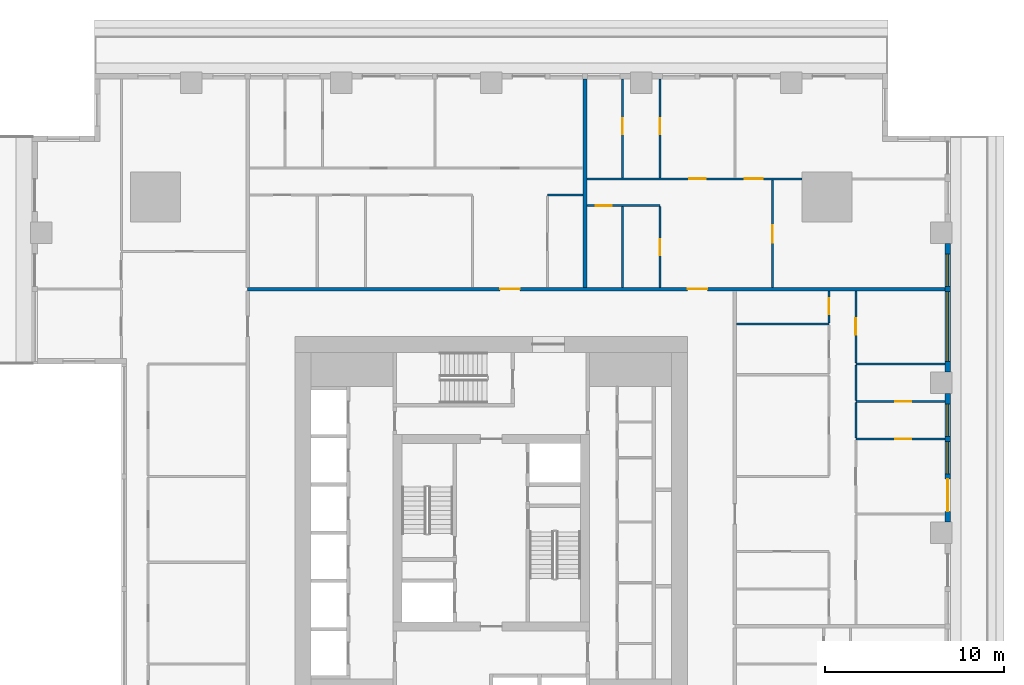
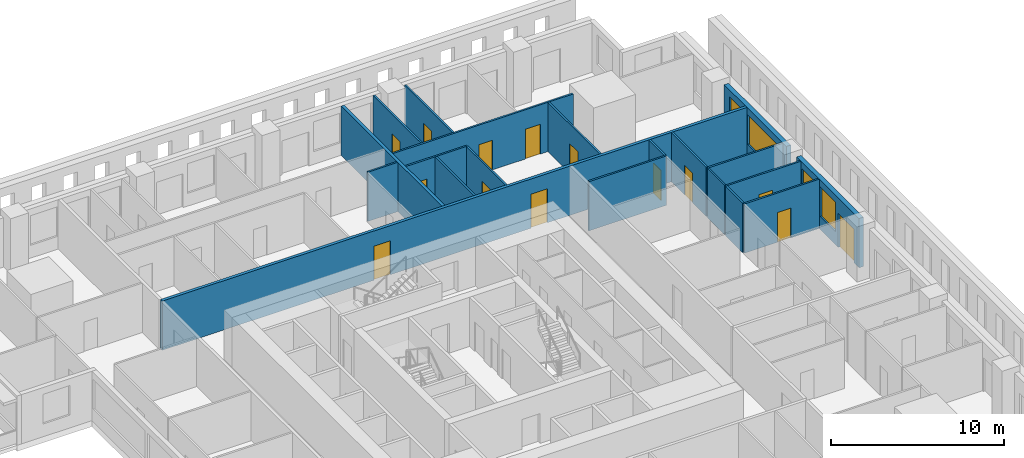
# One storey, part 8 of 14: 20 walls, 14 doors, 4 windows, 18 openings.
"""IFC4 building model written with IfcOpenShell, lengths in metres."""

from ifc_helpers import new_model, si_unit, direction, frame, frame_2d, origin, place, context, subcontext, project, spatial, rectangle, extrude, material, layer, layer_set, type_object, element, fill, save


model = new_model("IFC4")

# Units and contexts
model_context = context("Model", 3, precision=1e-05, world=origin(), true_north=direction((0.0, 1.0)))
body_context = subcontext(model_context, "Body", "Model", "MODEL_VIEW")
ifc_project = project(units=[si_unit("LENGTHUNIT", "METRE"), si_unit("AREAUNIT", "SQUARE_METRE"), si_unit("VOLUMEUNIT", "CUBIC_METRE"), si_unit("PLANEANGLEUNIT", "RADIAN"), si_unit("MASSUNIT", "GRAM", prefix="KILO")], contexts=[model_context])

# Site, building, storey
site_placement = place(None, origin())
site = spatial("IfcSite", under=ifc_project, at=site_placement, CompositionType="ELEMENT")
building_placement = place(site_placement, origin())
building = spatial("IfcBuilding", under=site, at=building_placement, Name="Khepri Terraces", CompositionType="ELEMENT")
storey_placement = place(building_placement, frame((0.0, 0.0, 106.5)))
storey = spatial("IfcBuildingStorey", under=building, at=storey_placement, Name="L25", CompositionType="ELEMENT", Elevation=106.5)

# Wall, openings, doors
ifc_material_1 = material(Name="Fire-rated gypsum plasterboard partition, mineral wool")
ifc_layer_1 = layer(ifc_material_1, 0.199951171875, Name="Fire-rated gypsum plasterboard partition, mineral wool")
ifc_layer_set_1 = layer_set([ifc_layer_1], Name="Fire-rated gypsum plasterboard partition, mineral wool")
wall_type_1 = type_object("IfcWallType", Name="WL-CORR-200", PredefinedType="PARTITIONING", material=ifc_layer_set_1)
wall_1_placement = place(storey_placement, frame((-13.64990234375, 13.64990234375, 0.0), z_axis=(0.0, 0.0, 1.0), x_axis=(1.0, 0.0, 0.0)))
wall_1 = element("IfcWall", 1, at=wall_1_placement, inside=storey, type_object=wall_type_1, Name="Partition P-068 L25", PredefinedType="PARTITIONING", context=body_context, shape_type="SweptSolid", body=[
    extrude(rectangle(XDim=39.06982421875, YDim=0.199951171875, at=frame_2d((19.534912109375, 0.0))), origin(), (0.0, 0.0, 1.0), 3.47998046875),
])
opening_1_placement = place(wall_1_placement, frame((24.64990234375, 0.0, 0.0)))
opening_1 = element("IfcOpeningElement", 2, at=opening_1_placement, cuts=wall_1, Name="Opening D1", PredefinedType="OPENING", context=body_context, shape_type="SweptSolid", body=[
    extrude(rectangle(XDim=1.10009765625, YDim=2.39990234375, at=frame_2d((0.550048828125, 1.199951171875))), frame((0.0, 0.10986328125, 0.0), z_axis=(0.0, -1.0, 0.0), x_axis=(1.0, 0.0, 0.0)), (0.0, 0.0, 1.0), 0.219970703125),
])
opening_2_placement = place(wall_1_placement, frame((14.14990234375, 0.0, 0.0)))
opening_2 = element("IfcOpeningElement", 3, at=opening_2_placement, cuts=wall_1, Name="Opening D1", PredefinedType="OPENING", context=body_context, shape_type="SweptSolid", body=[
    extrude(rectangle(XDim=1.10009765625, YDim=2.39990234375, at=frame_2d((0.550048828125, 1.199951171875))), frame((0.0, 0.10986328125, 0.0), z_axis=(0.0, -1.0, 0.0), x_axis=(1.0, 0.0, 0.0)), (0.0, 0.0, 1.0), 0.219970703125),
])
ifc_material_2 = material(Name="Solid-core timber door leaf, flat entrance door", Category="wood")
door_type_1 = type_object("IfcDoorType", Name="DR-ENT-1100", OperationType="NOTDEFINED", PredefinedType="DOOR", material=ifc_material_2)
door_1_placement = place(opening_1_placement, origin())
door_1 = element("IfcDoor", 4, at=door_1_placement, inside=storey, type_object=door_type_1, Name="Flat C1 entrance door", OperationType="SINGLE_SWING_RIGHT", OverallHeight=2.39990234375, OverallWidth=1.10009765625, PredefinedType="DOOR", context=body_context, shape_type="SweptSolid", body=[
    extrude(rectangle(XDim=1.10009765625, YDim=2.39990234375, at=frame_2d((0.550048828125, 1.199951171875))), frame((0.0, 0.02490234375, 0.0), z_axis=(0.0, -1.0, 0.0), x_axis=(1.0, 0.0, 0.0)), (0.0, 0.0, 1.0), 0.050048828125),
])
fill(opening_1, door_1)
door_2_placement = place(opening_2_placement, origin())
door_2 = element("IfcDoor", 5, at=door_2_placement, inside=storey, type_object=door_type_1, Name="Flat C2 entrance door", OperationType="SINGLE_SWING_LEFT", OverallHeight=2.39990234375, OverallWidth=1.10009765625, PredefinedType="DOOR", context=body_context, shape_type="SweptSolid", body=[
    extrude(rectangle(XDim=1.10009765625, YDim=2.39990234375, at=frame_2d((0.550048828125, 1.199951171875))), frame((0.0, 0.02490234375, 0.0), z_axis=(0.0, -1.0, 0.0), x_axis=(1.0, 0.0, 0.0)), (0.0, 0.0, 1.0), 0.050048828125),
])
fill(opening_2, door_2)

# Wall
wall_2_placement = place(storey_placement, frame((5.25, 13.75, 0.0), z_axis=(0.0, 0.0, 1.0), x_axis=(0.0, 1.0, 0.0)))
element("IfcWall", 6, at=wall_2_placement, inside=storey, type_object=wall_type_1, Name="Partition P-075 L25", PredefinedType="PARTITIONING", context=body_context, shape_type="SweptSolid", body=[
    extrude(rectangle(XDim=11.669921875, YDim=0.199951171875, at=frame_2d((5.8349609375, 0.0))), origin(), (0.0, 0.0, 1.0), 3.47998046875),
])

# Wall, openings, door, windows
ifc_material_3 = material(Name="Precast concrete C50/60 warm stone", Category="masonry")
ifc_layer_2 = layer(ifc_material_3, 0.300048828125, Name="Precast concrete C50/60 warm stone", Category="masonry")
ifc_layer_set_2 = layer_set([ifc_layer_2], Name="Precast concrete C50/60 warm stone")
wall_type_2 = type_object("IfcWallType", Name="WL-EXT-PRECAST-300", PredefinedType="STANDARD", material=ifc_layer_set_2)
wall_3_placement = place(storey_placement, frame((25.570068359375, 0.60009765625, 0.0), z_axis=(0.0, 0.0, 1.0), x_axis=(0.0, 1.0, 0.0)))
wall_3 = element("IfcWall", 7, at=wall_3_placement, inside=storey, type_object=wall_type_2, Name="External wall L25 E", PredefinedType="STANDARD", context=body_context, shape_type="SweptSolid", body=[
    extrude(rectangle(XDim=7.199951171875, YDim=0.300048828125, at=frame_2d((3.60009765625, 0.0))), origin(), (0.0, 0.0, 1.0), 3.47998046875),
])
opening_3_placement = place(wall_3_placement, frame((0.60009765625, 0.0, 0.0)))
opening_3 = element("IfcOpeningElement", 8, at=opening_3_placement, cuts=wall_3, Name="Opening ED-L25-05", PredefinedType="OPENING", context=body_context, shape_type="SweptSolid", body=[
    extrude(rectangle(XDim=1.800048828125, YDim=2.39990234375, at=frame_2d((0.89990234375, 1.199951171875))), frame((0.0, 0.16015625, 0.0), z_axis=(0.0, -1.0, 0.0), x_axis=(1.0, 0.0, 0.0)), (0.0, 0.0, 1.0), 0.320068359375),
])
opening_4_placement = place(wall_3_placement, frame((2.699951171875, 0.0, 0.89990234375)))
opening_4 = element("IfcOpeningElement", 9, at=opening_4_placement, cuts=wall_3, Name="Opening W1", PredefinedType="OPENING", context=body_context, shape_type="SweptSolid", body=[
    extrude(rectangle(XDim=1.800048828125, YDim=2.10009765625, at=frame_2d((0.89990234375, 1.050048828125))), frame((0.0, 0.16015625, 0.0), z_axis=(0.0, -1.0, 0.0), x_axis=(1.0, 0.0, 0.0)), (0.0, 0.0, 1.0), 0.320068359375),
])
opening_5_placement = place(wall_3_placement, frame((4.800048828125, 0.0, 0.89990234375)))
opening_5 = element("IfcOpeningElement", 10, at=opening_5_placement, cuts=wall_3, Name="Opening W1", PredefinedType="OPENING", context=body_context, shape_type="SweptSolid", body=[
    extrude(rectangle(XDim=1.800048828125, YDim=2.10009765625, at=frame_2d((0.89990234375, 1.050048828125))), frame((0.0, 0.16015625, 0.0), z_axis=(0.0, -1.0, 0.0), x_axis=(1.0, 0.0, 0.0)), (0.0, 0.0, 1.0), 0.320068359375),
])
ifc_material_4 = material(Name="Anodised aluminium bronze glazed door", Category="aluminium")
door_type_2 = type_object("IfcDoorType", Name="DR-BAL-SLIDE-1800x2400", OperationType="NOTDEFINED", PredefinedType="DOOR", material=ifc_material_4)
door_3_placement = place(opening_3_placement, origin())
door_3 = element("IfcDoor", 11, at=door_3_placement, inside=storey, type_object=door_type_2, Name="Balcony door L25 E", OperationType="SLIDING_TO_LEFT", OverallHeight=2.39990234375, OverallWidth=1.800048828125, PredefinedType="DOOR", context=body_context, shape_type="SweptSolid", body=[
    extrude(rectangle(XDim=1.800048828125, YDim=2.39990234375, at=frame_2d((0.89990234375, 1.199951171875))), frame((0.0, 0.02490234375, 0.0), z_axis=(0.0, -1.0, 0.0), x_axis=(1.0, 0.0, 0.0)), (0.0, 0.0, 1.0), 0.050048828125),
])
fill(opening_3, door_3)
ifc_material_5 = material(Name="Clear glass", Category="glass")
window_type_1 = type_object("IfcWindowType", Name="WIN-RES-1800x2100", PartitioningType="SINGLE_PANEL", PredefinedType="WINDOW", material=ifc_material_5)
window_1_placement = place(opening_4_placement, origin())
window_1 = element("IfcWindow", 12, at=window_1_placement, inside=storey, type_object=window_type_1, Name="Window L25 E", OverallHeight=2.10009765625, OverallWidth=1.800048828125, PartitioningType="SINGLE_PANEL", PredefinedType="WINDOW", context=body_context, shape_type="SweptSolid", body=[
    extrude(rectangle(XDim=1.800048828125, YDim=2.10009765625, at=frame_2d((0.89990234375, 1.050048828125))), frame((0.0, 0.030029296875, 0.0), z_axis=(0.0, -1.0, 0.0), x_axis=(1.0, 0.0, 0.0)), (0.0, 0.0, 1.0), 0.06005859375),
])
fill(opening_4, window_1)
window_2_placement = place(opening_5_placement, origin())
window_2 = element("IfcWindow", 13, at=window_2_placement, inside=storey, type_object=window_type_1, Name="Window L25 E", OverallHeight=2.10009765625, OverallWidth=1.800048828125, PartitioningType="SINGLE_PANEL", PredefinedType="WINDOW", context=body_context, shape_type="SweptSolid", body=[
    extrude(rectangle(XDim=1.800048828125, YDim=2.10009765625, at=frame_2d((0.89990234375, 1.050048828125))), frame((0.0, 0.030029296875, 0.0), z_axis=(0.0, -1.0, 0.0), x_axis=(1.0, 0.0, 0.0)), (0.0, 0.0, 1.0), 0.06005859375),
])
fill(opening_5, window_2)

# Wall, openings, windows
wall_4_placement = place(storey_placement, frame((25.570068359375, 9.0, 0.0), z_axis=(0.0, 0.0, 1.0), x_axis=(0.0, 1.0, 0.0)))
wall_4 = element("IfcWall", 14, at=wall_4_placement, inside=storey, type_object=wall_type_2, Name="External wall L25 E", PredefinedType="STANDARD", context=body_context, shape_type="SweptSolid", body=[
    extrude(rectangle(XDim=7.199951171875, YDim=0.300048828125, at=frame_2d((3.60009765625, 0.0))), origin(), (0.0, 0.0, 1.0), 3.47998046875),
])
opening_6_placement = place(wall_4_placement, frame((0.60009765625, 0.0, 0.89990234375)))
opening_6 = element("IfcOpeningElement", 15, at=opening_6_placement, cuts=wall_4, Name="Opening W2", PredefinedType="OPENING", context=body_context, shape_type="SweptSolid", body=[
    extrude(rectangle(XDim=3.89990234375, YDim=2.10009765625, at=frame_2d((1.949951171875, 1.050048828125))), frame((0.0, 0.16015625, 0.0), z_axis=(0.0, -1.0, 0.0), x_axis=(1.0, 0.0, 0.0)), (0.0, 0.0, 1.0), 0.320068359375),
])
opening_7_placement = place(wall_4_placement, frame((4.800048828125, 0.0, 0.89990234375)))
opening_7 = element("IfcOpeningElement", 16, at=opening_7_placement, cuts=wall_4, Name="Opening W1", PredefinedType="OPENING", context=body_context, shape_type="SweptSolid", body=[
    extrude(rectangle(XDim=1.800048828125, YDim=2.10009765625, at=frame_2d((0.89990234375, 1.050048828125))), frame((0.0, 0.16015625, 0.0), z_axis=(0.0, -1.0, 0.0), x_axis=(1.0, 0.0, 0.0)), (0.0, 0.0, 1.0), 0.320068359375),
])
window_3_placement = place(opening_7_placement, origin())
window_3 = element("IfcWindow", 17, at=window_3_placement, inside=storey, type_object=window_type_1, Name="Window L25 E", OverallHeight=2.10009765625, OverallWidth=1.800048828125, PartitioningType="SINGLE_PANEL", PredefinedType="WINDOW", context=body_context, shape_type="SweptSolid", body=[
    extrude(rectangle(XDim=1.800048828125, YDim=2.10009765625, at=frame_2d((0.89990234375, 1.050048828125))), frame((0.0, 0.030029296875, 0.0), z_axis=(0.0, -1.0, 0.0), x_axis=(1.0, 0.0, 0.0)), (0.0, 0.0, 1.0), 0.06005859375),
])
fill(opening_7, window_3)
window_type_2 = type_object("IfcWindowType", Name="WIN-RES-3900x2100", PartitioningType="SINGLE_PANEL", PredefinedType="WINDOW", material=ifc_material_5)
window_4_placement = place(opening_6_placement, origin())
window_4 = element("IfcWindow", 18, at=window_4_placement, inside=storey, type_object=window_type_2, Name="Window L25 E", OverallHeight=2.10009765625, OverallWidth=3.89990234375, PartitioningType="SINGLE_PANEL", PredefinedType="WINDOW", context=body_context, shape_type="SweptSolid", body=[
    extrude(rectangle(XDim=3.89990234375, YDim=2.10009765625, at=frame_2d((1.949951171875, 1.050048828125))), frame((0.0, 0.030029296875, 0.0), z_axis=(0.0, -1.0, 0.0), x_axis=(1.0, 0.0, 0.0)), (0.0, 0.0, 1.0), 0.06005859375),
])
fill(opening_6, window_4)

# Wall, opening, door
ifc_material_6 = material(Name="Gypsum plasterboard partition")
ifc_layer_3 = layer(ifc_material_6, 0.1201171875, Name="Gypsum plasterboard partition")
ifc_layer_set_3 = layer_set([ifc_layer_3], Name="Gypsum plasterboard partition")
wall_type_3 = type_object("IfcWallType", Name="WL-PART-120", PredefinedType="PARTITIONING", material=ifc_layer_set_3)
wall_5_placement = place(storey_placement, frame((20.419921875, 5.25, 0.0), z_axis=(0.0, 0.0, 1.0), x_axis=(1.0, 0.0, 0.0)))
wall_5 = element("IfcWall", 19, at=wall_5_placement, inside=storey, type_object=wall_type_3, Name="Partition P-055 L25", PredefinedType="PARTITIONING", context=body_context, shape_type="SweptSolid", body=[
    extrude(rectangle(XDim=5.0, YDim=0.1201171875, at=frame_2d((2.5, 0.0))), origin(), (0.0, 0.0, 1.0), 3.47998046875),
])
opening_8_placement = place(wall_5_placement, frame((2.199951171875, 0.0, 0.0)))
opening_8 = element("IfcOpeningElement", 20, at=opening_8_placement, cuts=wall_5, Name="Opening D3", PredefinedType="OPENING", context=body_context, shape_type="SweptSolid", body=[
    extrude(rectangle(XDim=0.89990234375, YDim=2.10009765625, at=frame_2d((0.449951171875, 1.050048828125))), frame((0.0, 0.070068359375, 0.0), z_axis=(0.0, -1.0, 0.0), x_axis=(1.0, 0.0, 0.0)), (0.0, 0.0, 1.0), 0.14013671875),
])
ifc_material_7 = material(Name="Timber door leaf", Category="wood")
door_type_3 = type_object("IfcDoorType", Name="DR-INT-900", OperationType="NOTDEFINED", PredefinedType="DOOR", material=ifc_material_7)
door_4_placement = place(opening_8_placement, origin())
door_4 = element("IfcDoor", 21, at=door_4_placement, inside=storey, type_object=door_type_3, Name="Door Dressing Room", OperationType="SINGLE_SWING_RIGHT", OverallHeight=2.10009765625, OverallWidth=0.89990234375, PredefinedType="DOOR", context=body_context, shape_type="SweptSolid", body=[
    extrude(rectangle(XDim=0.89990234375, YDim=2.10009765625, at=frame_2d((0.449951171875, 1.050048828125))), frame((0.0, 0.02490234375, 0.0), z_axis=(0.0, -1.0, 0.0), x_axis=(1.0, 0.0, 0.0)), (0.0, 0.0, 1.0), 0.050048828125),
])
fill(opening_8, door_4)

# Wall
wall_6_placement = place(storey_placement, frame((20.419921875, 5.31005859375, 0.0), z_axis=(0.0, 0.0, 1.0), x_axis=(0.0, 1.0, 0.0)))
element("IfcWall", 22, at=wall_6_placement, inside=storey, type_object=wall_type_3, Name="Partition P-056 L25", PredefinedType="PARTITIONING", context=body_context, shape_type="SweptSolid", body=[
    extrude(rectangle(XDim=1.97998046875, YDim=0.1201171875, at=frame_2d((0.989990234375, 0.0))), origin(), (0.0, 0.0, 1.0), 3.47998046875),
])

# Wall, opening, door
wall_7_placement = place(storey_placement, frame((20.419921875, 7.35009765625, 0.0), z_axis=(0.0, 0.0, 1.0), x_axis=(1.0, 0.0, 0.0)))
wall_7 = element("IfcWall", 23, at=wall_7_placement, inside=storey, type_object=wall_type_3, Name="Partition P-057 L25", PredefinedType="PARTITIONING", context=body_context, shape_type="SweptSolid", body=[
    extrude(rectangle(XDim=5.0, YDim=0.1201171875, at=frame_2d((2.5, 0.0))), origin(), (0.0, 0.0, 1.0), 3.47998046875),
])
opening_9_placement = place(wall_7_placement, frame((2.199951171875, 0.0, 0.0)))
opening_9 = element("IfcOpeningElement", 24, at=opening_9_placement, cuts=wall_7, Name="Opening D4", PredefinedType="OPENING", context=body_context, shape_type="SweptSolid", body=[
    extrude(rectangle(XDim=0.89990234375, YDim=2.10009765625, at=frame_2d((0.449951171875, 1.050048828125))), frame((0.0, 0.070068359375, 0.0), z_axis=(0.0, -1.0, 0.0), x_axis=(1.0, 0.0, 0.0)), (0.0, 0.0, 1.0), 0.14013671875),
])
ifc_material_8 = material(Name="Timber door leaf, moisture resistant", Category="wood")
door_type_4 = type_object("IfcDoorType", Name="DR-WET-900", OperationType="NOTDEFINED", PredefinedType="DOOR", material=ifc_material_8)
door_5_placement = place(opening_9_placement, origin())
door_5 = element("IfcDoor", 25, at=door_5_placement, inside=storey, type_object=door_type_4, Name="Door Bathroom", OperationType="SINGLE_SWING_RIGHT", OverallHeight=2.10009765625, OverallWidth=0.89990234375, PredefinedType="DOOR", context=body_context, shape_type="SweptSolid", body=[
    extrude(rectangle(XDim=0.89990234375, YDim=2.10009765625, at=frame_2d((0.449951171875, 1.050048828125))), frame((0.0, 0.02490234375, 0.0), z_axis=(0.0, -1.0, 0.0), x_axis=(1.0, 0.0, 0.0)), (0.0, 0.0, 1.0), 0.050048828125),
])
fill(opening_9, door_5)

# Walls
wall_8_placement = place(storey_placement, frame((20.419921875, 7.409912109375, 0.0), z_axis=(0.0, 0.0, 1.0), x_axis=(0.0, 1.0, 0.0)))
element("IfcWall", 26, at=wall_8_placement, inside=storey, type_object=wall_type_3, Name="Partition P-058 L25", PredefinedType="PARTITIONING", context=body_context, shape_type="SweptSolid", body=[
    extrude(rectangle(XDim=1.97998046875, YDim=0.1201171875, at=frame_2d((0.989990234375, 0.0))), origin(), (0.0, 0.0, 1.0), 3.47998046875),
])
wall_9_placement = place(storey_placement, frame((20.419921875, 9.449951171875, 0.0), z_axis=(0.0, 0.0, 1.0), x_axis=(1.0, 0.0, 0.0)))
element("IfcWall", 27, at=wall_9_placement, inside=storey, type_object=wall_type_3, Name="Partition P-063 L25", PredefinedType="PARTITIONING", context=body_context, shape_type="SweptSolid", body=[
    extrude(rectangle(XDim=5.0, YDim=0.1201171875, at=frame_2d((2.5, 0.0))), origin(), (0.0, 0.0, 1.0), 3.47998046875),
])

# Wall, opening, door
wall_10_placement = place(storey_placement, frame((20.419921875, 9.510009765625, 0.0), z_axis=(0.0, 0.0, 1.0), x_axis=(0.0, 1.0, 0.0)))
wall_10 = element("IfcWall", 28, at=wall_10_placement, inside=storey, type_object=wall_type_3, Name="Partition P-064 L25", PredefinedType="PARTITIONING", context=body_context, shape_type="SweptSolid", body=[
    extrude(rectangle(XDim=4.0400390625, YDim=0.1201171875, at=frame_2d((2.02001953125, 0.0))), origin(), (0.0, 0.0, 1.0), 3.47998046875),
])
opening_10_placement = place(wall_10_placement, frame((1.590087890625, 0.0, 0.0)))
opening_10 = element("IfcOpeningElement", 29, at=opening_10_placement, cuts=wall_10, Name="Opening D3", PredefinedType="OPENING", context=body_context, shape_type="SweptSolid", body=[
    extrude(rectangle(XDim=0.89990234375, YDim=2.10009765625, at=frame_2d((0.449951171875, 1.050048828125))), frame((0.0, 0.070068359375, 0.0), z_axis=(0.0, -1.0, 0.0), x_axis=(1.0, 0.0, 0.0)), (0.0, 0.0, 1.0), 0.14013671875),
])
door_6_placement = place(opening_10_placement, frame((0.89990234375, 0.0, 0.0), z_axis=(0.0, 0.0, 1.0), x_axis=(-1.0, 0.0, 0.0)))
door_6 = element("IfcDoor", 30, at=door_6_placement, inside=storey, type_object=door_type_3, Name="Door Study", OperationType="SINGLE_SWING_LEFT", OverallHeight=2.10009765625, OverallWidth=0.89990234375, PredefinedType="DOOR", context=body_context, shape_type="SweptSolid", body=[
    extrude(rectangle(XDim=0.89990234375, YDim=2.10009765625, at=frame_2d((0.449951171875, 1.050048828125))), frame((0.0, 0.02490234375, 0.0), z_axis=(0.0, -1.0, 0.0), x_axis=(1.0, 0.0, 0.0)), (0.0, 0.0, 1.0), 0.050048828125),
])
fill(opening_10, door_6)

# Wall
wall_11_placement = place(storey_placement, frame((13.75, 11.699951171875, 0.0), z_axis=(0.0, 0.0, 1.0), x_axis=(1.0, 0.0, 0.0)))
element("IfcWall", 31, at=wall_11_placement, inside=storey, type_object=wall_type_3, Name="Partition P-065 L25", PredefinedType="PARTITIONING", context=body_context, shape_type="SweptSolid", body=[
    extrude(rectangle(XDim=5.169921875, YDim=0.1201171875, at=frame_2d((2.5849609375, 0.0))), origin(), (0.0, 0.0, 1.0), 3.47998046875),
])

# Wall, opening, door
wall_12_placement = place(storey_placement, frame((18.919921875, 11.760009765625, 0.0), z_axis=(0.0, 0.0, 1.0), x_axis=(0.0, 1.0, 0.0)))
wall_12 = element("IfcWall", 32, at=wall_12_placement, inside=storey, type_object=wall_type_3, Name="Partition P-066 L25", PredefinedType="PARTITIONING", context=body_context, shape_type="SweptSolid", body=[
    extrude(rectangle(XDim=1.7900390625, YDim=0.1201171875, at=frame_2d((0.89501953125, 0.0))), origin(), (0.0, 0.0, 1.0), 3.47998046875),
])
opening_11_placement = place(wall_12_placement, frame((0.465087890625, 0.0, 0.0)))
opening_11 = element("IfcOpeningElement", 33, at=opening_11_placement, cuts=wall_12, Name="Opening D3", PredefinedType="OPENING", context=body_context, shape_type="SweptSolid", body=[
    extrude(rectangle(XDim=0.89990234375, YDim=2.10009765625, at=frame_2d((0.449951171875, 1.050048828125))), frame((0.0, 0.070068359375, 0.0), z_axis=(0.0, -1.0, 0.0), x_axis=(1.0, 0.0, 0.0)), (0.0, 0.0, 1.0), 0.14013671875),
])
door_7_placement = place(opening_11_placement, origin())
door_7 = element("IfcDoor", 34, at=door_7_placement, inside=storey, type_object=door_type_3, Name="Door Utility Room", OperationType="SINGLE_SWING_RIGHT", OverallHeight=2.10009765625, OverallWidth=0.89990234375, PredefinedType="DOOR", context=body_context, shape_type="SweptSolid", body=[
    extrude(rectangle(XDim=0.89990234375, YDim=2.10009765625, at=frame_2d((0.449951171875, 1.050048828125))), frame((0.0, 0.02490234375, 0.0), z_axis=(0.0, -1.0, 0.0), x_axis=(1.0, 0.0, 0.0)), (0.0, 0.0, 1.0), 0.050048828125),
])
fill(opening_11, door_7)

# Wall
wall_13_placement = place(storey_placement, frame((7.35009765625, 13.75, 0.0), z_axis=(0.0, 0.0, 1.0), x_axis=(0.0, 1.0, 0.0)))
element("IfcWall", 35, at=wall_13_placement, inside=storey, type_object=wall_type_3, Name="Partition P-076 L25", PredefinedType="PARTITIONING", context=body_context, shape_type="SweptSolid", body=[
    extrude(rectangle(XDim=4.510009765625, YDim=0.1201171875, at=frame_2d((2.2548828125, 0.0))), origin(), (0.0, 0.0, 1.0), 3.47998046875),
])

# Wall, opening, door
wall_14_placement = place(storey_placement, frame((9.449951171875, 13.75, 0.0), z_axis=(0.0, 0.0, 1.0), x_axis=(0.0, 1.0, 0.0)))
wall_14 = element("IfcWall", 36, at=wall_14_placement, inside=storey, type_object=wall_type_3, Name="Partition P-077 L25", PredefinedType="PARTITIONING", context=body_context, shape_type="SweptSolid", body=[
    extrude(rectangle(XDim=4.510009765625, YDim=0.1201171875, at=frame_2d((2.2548828125, 0.0))), origin(), (0.0, 0.0, 1.0), 3.47998046875),
])
opening_12_placement = place(wall_14_placement, frame((1.784912109375, 0.0, 0.0)))
opening_12 = element("IfcOpeningElement", 37, at=opening_12_placement, cuts=wall_14, Name="Opening D4", PredefinedType="OPENING", context=body_context, shape_type="SweptSolid", body=[
    extrude(rectangle(XDim=0.89990234375, YDim=2.10009765625, at=frame_2d((0.449951171875, 1.050048828125))), frame((0.0, 0.070068359375, 0.0), z_axis=(0.0, -1.0, 0.0), x_axis=(1.0, 0.0, 0.0)), (0.0, 0.0, 1.0), 0.14013671875),
])
door_8_placement = place(opening_12_placement, origin())
door_8 = element("IfcDoor", 38, at=door_8_placement, inside=storey, type_object=door_type_4, Name="Door Guest Bathroom", OperationType="SINGLE_SWING_LEFT", OverallHeight=2.10009765625, OverallWidth=0.89990234375, PredefinedType="DOOR", context=body_context, shape_type="SweptSolid", body=[
    extrude(rectangle(XDim=0.89990234375, YDim=2.10009765625, at=frame_2d((0.449951171875, 1.050048828125))), frame((0.0, 0.02490234375, 0.0), z_axis=(0.0, -1.0, 0.0), x_axis=(1.0, 0.0, 0.0)), (0.0, 0.0, 1.0), 0.050048828125),
])
fill(opening_12, door_8)

wall_15_placement = place(storey_placement, frame((15.75, 13.75, 0.0), z_axis=(0.0, 0.0, 1.0), x_axis=(0.0, 1.0, 0.0)))
wall_15 = element("IfcWall", 39, at=wall_15_placement, inside=storey, type_object=wall_type_3, Name="Partition P-078 L25", PredefinedType="PARTITIONING", context=body_context, shape_type="SweptSolid", body=[
    extrude(rectangle(XDim=6.010009765625, YDim=0.1201171875, at=frame_2d((3.0048828125, 0.0))), origin(), (0.0, 0.0, 1.0), 3.47998046875),
])
opening_13_placement = place(wall_15_placement, frame((2.485107421875, 0.0, 0.0)))
opening_13 = element("IfcOpeningElement", 40, at=opening_13_placement, cuts=wall_15, Name="Opening D2", PredefinedType="OPENING", context=body_context, shape_type="SweptSolid", body=[
    extrude(rectangle(XDim=1.0, YDim=2.10009765625, at=frame_2d((0.5, 1.050048828125))), frame((0.0, 0.070068359375, 0.0), z_axis=(0.0, -1.0, 0.0), x_axis=(1.0, 0.0, 0.0)), (0.0, 0.0, 1.0), 0.14013671875),
])
ifc_material_9 = material(Name="Timber door leaf, living room door", Category="wood")
door_type_5 = type_object("IfcDoorType", Name="DR-INT-1000", OperationType="NOTDEFINED", PredefinedType="DOOR", material=ifc_material_9)
door_9_placement = place(opening_13_placement, frame((1.0, 0.0, 0.0), z_axis=(0.0, 0.0, 1.0), x_axis=(-1.0, 0.0, 0.0)))
door_9 = element("IfcDoor", 41, at=door_9_placement, inside=storey, type_object=door_type_5, Name="Door Family Room", OperationType="SINGLE_SWING_RIGHT", OverallHeight=2.10009765625, OverallWidth=1.0, PredefinedType="DOOR", context=body_context, shape_type="SweptSolid", body=[
    extrude(rectangle(XDim=1.0, YDim=2.10009765625, at=frame_2d((0.5, 1.050048828125))), frame((0.0, 0.02490234375, 0.0), z_axis=(0.0, -1.0, 0.0), x_axis=(1.0, 0.0, 0.0)), (0.0, 0.0, 1.0), 0.050048828125),
])
fill(opening_13, door_9)

wall_16_placement = place(storey_placement, frame((5.35009765625, 18.320068359375, 0.0), z_axis=(0.0, 0.0, 1.0), x_axis=(1.0, 0.0, 0.0)))
wall_16 = element("IfcWall", 42, at=wall_16_placement, inside=storey, type_object=wall_type_3, Name="Partition P-081 L25", PredefinedType="PARTITIONING", context=body_context, shape_type="SweptSolid", body=[
    extrude(rectangle(XDim=4.099853515625, YDim=0.1201171875, at=frame_2d((2.0498046875, 0.0))), origin(), (0.0, 0.0, 1.0), 3.47998046875),
])
opening_14_placement = place(wall_16_placement, frame((0.5, 0.0, 0.0)))
opening_14 = element("IfcOpeningElement", 43, at=opening_14_placement, cuts=wall_16, Name="Opening D3", PredefinedType="OPENING", context=body_context, shape_type="SweptSolid", body=[
    extrude(rectangle(XDim=0.89990234375, YDim=2.10009765625, at=frame_2d((0.449951171875, 1.050048828125))), frame((0.0, 0.070068359375, 0.0), z_axis=(0.0, -1.0, 0.0), x_axis=(1.0, 0.0, 0.0)), (0.0, 0.0, 1.0), 0.14013671875),
])
door_10_placement = place(opening_14_placement, frame((0.89990234375, 0.0, 0.0), z_axis=(0.0, 0.0, 1.0), x_axis=(-1.0, 0.0, 0.0)))
door_10 = element("IfcDoor", 44, at=door_10_placement, inside=storey, type_object=door_type_3, Name="Door Kitchen", OperationType="SINGLE_SWING_RIGHT", OverallHeight=2.10009765625, OverallWidth=0.89990234375, PredefinedType="DOOR", context=body_context, shape_type="SweptSolid", body=[
    extrude(rectangle(XDim=0.89990234375, YDim=2.10009765625, at=frame_2d((0.449951171875, 1.050048828125))), frame((0.0, 0.02490234375, 0.0), z_axis=(0.0, -1.0, 0.0), x_axis=(1.0, 0.0, 0.0)), (0.0, 0.0, 1.0), 0.050048828125),
])
fill(opening_14, door_10)

# Wall
wall_17_placement = place(storey_placement, frame((3.14990234375, 18.919921875, 0.0), z_axis=(0.0, 0.0, 1.0), x_axis=(1.0, 0.0, 0.0)))
element("IfcWall", 45, at=wall_17_placement, inside=storey, type_object=wall_type_3, Name="Partition P-083 L25", PredefinedType="PARTITIONING", context=body_context, shape_type="SweptSolid", body=[
    extrude(rectangle(XDim=2.0, YDim=0.1201171875, at=frame_2d((1.0, 0.0))), origin(), (0.0, 0.0, 1.0), 3.47998046875),
])

# Wall, openings, doors
wall_18_placement = place(storey_placement, frame((5.35009765625, 19.820068359375, 0.0), z_axis=(0.0, 0.0, 1.0), x_axis=(1.0, 0.0, 0.0)))
wall_18 = element("IfcWall", 46, at=wall_18_placement, inside=storey, type_object=wall_type_3, Name="Partition P-084 L25", PredefinedType="PARTITIONING", context=body_context, shape_type="SweptSolid", body=[
    extrude(rectangle(XDim=12.0498046875, YDim=0.1201171875, at=frame_2d((6.02490234375, 0.0))), origin(), (0.0, 0.0, 1.0), 3.47998046875),
])
opening_15_placement = place(wall_18_placement, frame((8.85009765625, 0.0, 0.0)))
opening_15 = element("IfcOpeningElement", 47, at=opening_15_placement, cuts=wall_18, Name="Opening D2", PredefinedType="OPENING", context=body_context, shape_type="SweptSolid", body=[
    extrude(rectangle(XDim=1.0, YDim=2.10009765625, at=frame_2d((0.5, 1.050048828125))), frame((0.0, 0.070068359375, 0.0), z_axis=(0.0, -1.0, 0.0), x_axis=(1.0, 0.0, 0.0)), (0.0, 0.0, 1.0), 0.14013671875),
])
opening_16_placement = place(wall_18_placement, frame((5.75, 0.0, 0.0)))
opening_16 = element("IfcOpeningElement", 48, at=opening_16_placement, cuts=wall_18, Name="Opening D3", PredefinedType="OPENING", context=body_context, shape_type="SweptSolid", body=[
    extrude(rectangle(XDim=0.89990234375, YDim=2.10009765625, at=frame_2d((0.449951171875, 1.050048828125))), frame((0.0, 0.070068359375, 0.0), z_axis=(0.0, -1.0, 0.0), x_axis=(1.0, 0.0, 0.0)), (0.0, 0.0, 1.0), 0.14013671875),
])
door_11_placement = place(opening_15_placement, origin())
door_11 = element("IfcDoor", 49, at=door_11_placement, inside=storey, type_object=door_type_5, Name="Door Living Room", OperationType="SINGLE_SWING_RIGHT", OverallHeight=2.10009765625, OverallWidth=1.0, PredefinedType="DOOR", context=body_context, shape_type="SweptSolid", body=[
    extrude(rectangle(XDim=1.0, YDim=2.10009765625, at=frame_2d((0.5, 1.050048828125))), frame((0.0, 0.02490234375, 0.0), z_axis=(0.0, -1.0, 0.0), x_axis=(1.0, 0.0, 0.0)), (0.0, 0.0, 1.0), 0.050048828125),
])
fill(opening_15, door_11)
door_12_placement = place(opening_16_placement, origin())
door_12 = element("IfcDoor", 50, at=door_12_placement, inside=storey, type_object=door_type_3, Name="Door Master Bedroom", OperationType="SINGLE_SWING_RIGHT", OverallHeight=2.10009765625, OverallWidth=0.89990234375, PredefinedType="DOOR", context=body_context, shape_type="SweptSolid", body=[
    extrude(rectangle(XDim=0.89990234375, YDim=2.10009765625, at=frame_2d((0.449951171875, 1.050048828125))), frame((0.0, 0.02490234375, 0.0), z_axis=(0.0, -1.0, 0.0), x_axis=(1.0, 0.0, 0.0)), (0.0, 0.0, 1.0), 0.050048828125),
])
fill(opening_16, door_12)

# Wall, opening, door
wall_19_placement = place(storey_placement, frame((7.35009765625, 19.8798828125, 0.0), z_axis=(0.0, 0.0, 1.0), x_axis=(0.0, 1.0, 0.0)))
wall_19 = element("IfcWall", 51, at=wall_19_placement, inside=storey, type_object=wall_type_3, Name="Partition P-086 L25", PredefinedType="PARTITIONING", context=body_context, shape_type="SweptSolid", body=[
    extrude(rectangle(XDim=5.5400390625, YDim=0.1201171875, at=frame_2d((2.77001953125, 0.0))), origin(), (0.0, 0.0, 1.0), 3.47998046875),
])
opening_17_placement = place(wall_19_placement, frame((2.43994140625, 0.0, 0.0)))
opening_17 = element("IfcOpeningElement", 52, at=opening_17_placement, cuts=wall_19, Name="Opening D4", PredefinedType="OPENING", context=body_context, shape_type="SweptSolid", body=[
    extrude(rectangle(XDim=0.89990234375, YDim=2.10009765625, at=frame_2d((0.449951171875, 1.050048828125))), frame((0.0, 0.070068359375, 0.0), z_axis=(0.0, -1.0, 0.0), x_axis=(1.0, 0.0, 0.0)), (0.0, 0.0, 1.0), 0.14013671875),
])
door_13_placement = place(opening_17_placement, origin())
door_13 = element("IfcDoor", 53, at=door_13_placement, inside=storey, type_object=door_type_4, Name="Door Bathroom", OperationType="SINGLE_SWING_RIGHT", OverallHeight=2.10009765625, OverallWidth=0.89990234375, PredefinedType="DOOR", context=body_context, shape_type="SweptSolid", body=[
    extrude(rectangle(XDim=0.89990234375, YDim=2.10009765625, at=frame_2d((0.449951171875, 1.050048828125))), frame((0.0, 0.02490234375, 0.0), z_axis=(0.0, -1.0, 0.0), x_axis=(1.0, 0.0, 0.0)), (0.0, 0.0, 1.0), 0.050048828125),
])
fill(opening_17, door_13)

wall_20_placement = place(storey_placement, frame((9.449951171875, 19.8798828125, 0.0), z_axis=(0.0, 0.0, 1.0), x_axis=(0.0, 1.0, 0.0)))
wall_20 = element("IfcWall", 54, at=wall_20_placement, inside=storey, type_object=wall_type_3, Name="Partition P-087 L25", PredefinedType="PARTITIONING", context=body_context, shape_type="SweptSolid", body=[
    extrude(rectangle(XDim=5.5400390625, YDim=0.1201171875, at=frame_2d((2.77001953125, 0.0))), origin(), (0.0, 0.0, 1.0), 3.47998046875),
])
opening_18_placement = place(wall_20_placement, frame((2.43994140625, 0.0, 0.0)))
opening_18 = element("IfcOpeningElement", 55, at=opening_18_placement, cuts=wall_20, Name="Opening D3", PredefinedType="OPENING", context=body_context, shape_type="SweptSolid", body=[
    extrude(rectangle(XDim=0.89990234375, YDim=2.10009765625, at=frame_2d((0.449951171875, 1.050048828125))), frame((0.0, 0.070068359375, 0.0), z_axis=(0.0, -1.0, 0.0), x_axis=(1.0, 0.0, 0.0)), (0.0, 0.0, 1.0), 0.14013671875),
])
door_14_placement = place(opening_18_placement, origin())
door_14 = element("IfcDoor", 56, at=door_14_placement, inside=storey, type_object=door_type_3, Name="Door Dressing Room", OperationType="SINGLE_SWING_RIGHT", OverallHeight=2.10009765625, OverallWidth=0.89990234375, PredefinedType="DOOR", context=body_context, shape_type="SweptSolid", body=[
    extrude(rectangle(XDim=0.89990234375, YDim=2.10009765625, at=frame_2d((0.449951171875, 1.050048828125))), frame((0.0, 0.02490234375, 0.0), z_axis=(0.0, -1.0, 0.0), x_axis=(1.0, 0.0, 0.0)), (0.0, 0.0, 1.0), 0.050048828125),
])
fill(opening_18, door_14)

save(model, "model.ifc")
